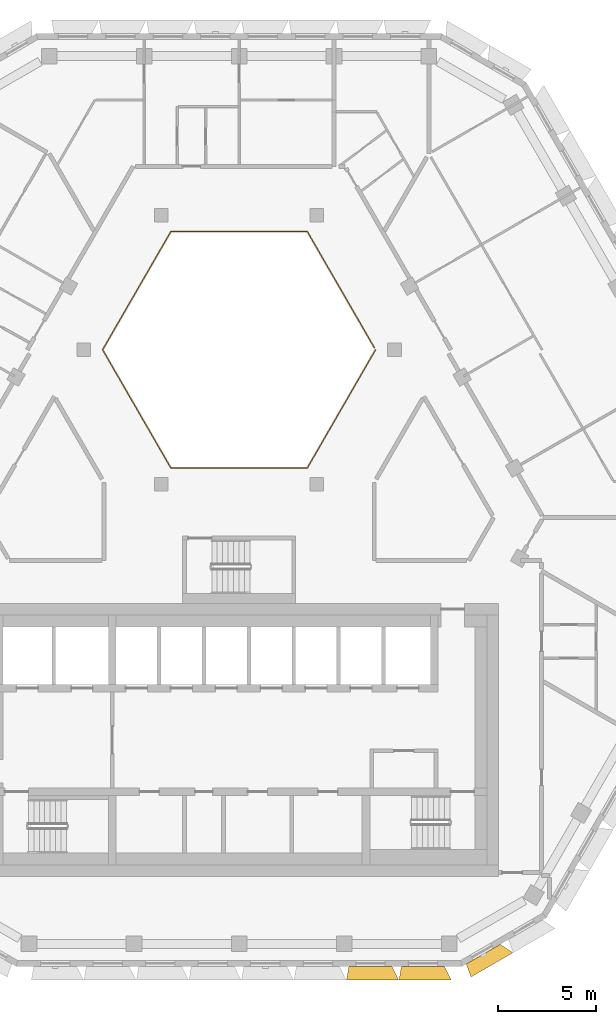
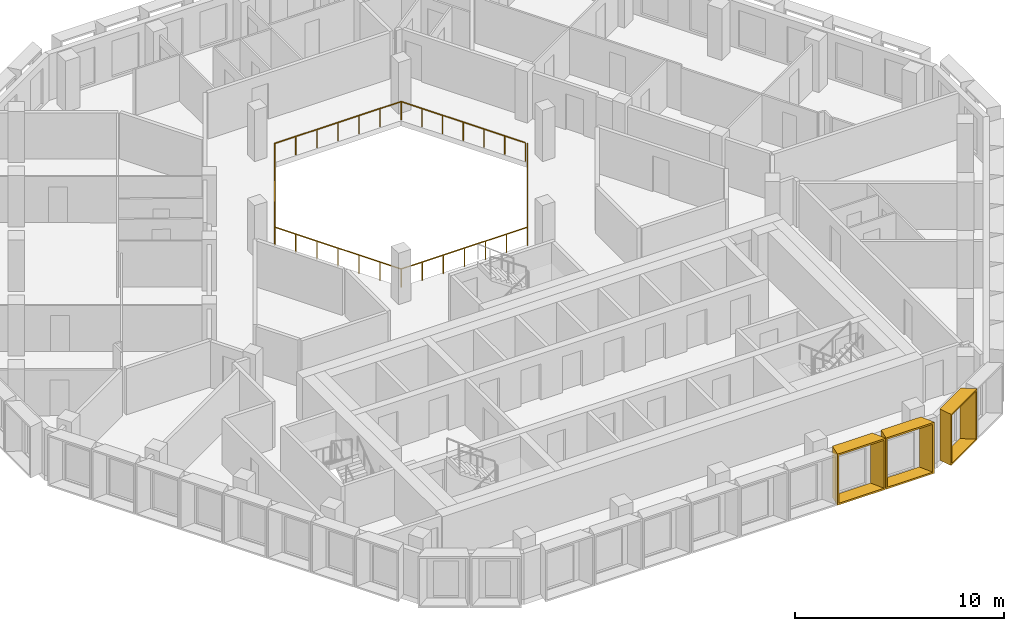
# One storey, part 15 of 17: 3 shading devices, 1 railing.
"""IFC4 building model written with IfcOpenShell, lengths in metres."""

from ifc_helpers import new_model, entity, si_unit, direction, frame, origin, origin_2d, place, context, subcontext, project, spatial, rectangle, extrude, source, transform, mapped, material, type_object, type_shapes, element, save


model = new_model("IFC4")

# Units and contexts
model_context = context("Model", 3, precision=1e-05, world=origin(), true_north=direction((0.0, 1.0)))
body_context = subcontext(model_context, "Body", "Model", "MODEL_VIEW")
ifc_project = project(units=[si_unit("LENGTHUNIT", "METRE"), si_unit("AREAUNIT", "SQUARE_METRE"), si_unit("VOLUMEUNIT", "CUBIC_METRE"), si_unit("PLANEANGLEUNIT", "RADIAN"), si_unit("MASSUNIT", "GRAM", prefix="KILO")], contexts=[model_context])

# Site, building, storey
site_placement = place(None, origin())
site = spatial("IfcSite", under=ifc_project, at=site_placement, CompositionType="ELEMENT")
building_placement = place(site_placement, origin())
building = spatial("IfcBuilding", under=site, at=building_placement, Name="Beryl Residences", CompositionType="ELEMENT")
storey_placement = place(building_placement, frame((0.0, 0.0, 166.199951171875)))
storey = spatial("IfcBuildingStorey", under=building, at=storey_placement, Name="L50", CompositionType="ELEMENT", Elevation=166.199951171875)

# Railing
ifc_material_1 = material(Name="Stainless steel balustrade with glass infill", Category="steel")
railing_type = type_object("IfcRailingType", Name="EG1 edge guard 1100 mm", PredefinedType="GUARDRAIL", material=ifc_material_1)
railing_placement = place(storey_placement, frame((6.9970703125, 8.0, 0.0)))
element("IfcRailing", 1, at=railing_placement, inside=storey, type_object=railing_type, Name="L50 atrium guard", PredefinedType="GUARDRAIL", context=body_context, shape_type="SweptSolid", body=[
    extrude(rectangle(XDim=0.048095703125, YDim=0.048095703125, at=origin_2d()), frame((0.0, 0.0, 1.076171875), z_axis=(-0.499921796684, -0.866070549782, 0.0), x_axis=(0.866070549782, -0.499921796684, 0.0)), (0.0, 0.0, 1.0), 6.9970703125),
    extrude(rectangle(XDim=0.048095703125, YDim=0.048095703125, at=origin_2d()), frame((-3.498046875, -6.06005859375, 1.076171875), z_axis=(-1.0, 0.0, 0.0), x_axis=(0.0, -1.0, 0.0)), (0.0, 0.0, 1.0), 6.998046875),
    extrude(rectangle(XDim=0.048095703125, YDim=0.048095703125, at=origin_2d()), frame((-10.49609375, -6.06005859375, 1.076171875), z_axis=(-0.499921796684, 0.866070549782, 0.0), x_axis=(-0.866070549782, -0.499921796684, 0.0)), (0.0, 0.0, 1.0), 6.9970703125),
    extrude(rectangle(XDim=0.048095703125, YDim=0.048095703125, at=origin_2d()), frame((-13.994140625, 0.0, 1.076171875), z_axis=(0.499921796684, 0.866070549782, 0.0), x_axis=(-0.866070549782, 0.499921796684, 0.0)), (0.0, 0.0, 1.0), 6.9970703125),
    extrude(rectangle(XDim=0.048095703125, YDim=0.048095703125, at=origin_2d()), frame((-10.49609375, 6.06005859375, 1.076171875), z_axis=(1.0, 0.0, 0.0), x_axis=(0.0, 1.0, 0.0)), (0.0, 0.0, 1.0), 6.998046875),
    extrude(rectangle(XDim=0.048095703125, YDim=0.048095703125, at=origin_2d()), frame((-3.498046875, 6.06005859375, 1.076171875), z_axis=(0.499919131929, -0.866072087953, 0.0), x_axis=(0.866072087953, 0.499919131929, 0.0)), (0.0, 0.0, 1.0), 6.877197265625),
    extrude(rectangle(XDim=0.0419921875, YDim=0.0419921875, at=origin_2d()), origin(), (0.0, 0.0, 1.0), 1.052001953125),
    extrude(rectangle(XDim=0.0419921875, YDim=0.0419921875, at=origin_2d()), frame((-0.5830078125, -1.010009765625, 0.0)), (0.0, 0.0, 1.0), 1.052001953125),
    extrude(rectangle(XDim=0.0419921875, YDim=0.0419921875, at=origin_2d()), frame((-1.166015625, -2.02001953125, 0.0)), (0.0, 0.0, 1.0), 1.052001953125),
    extrude(rectangle(XDim=0.0419921875, YDim=0.0419921875, at=origin_2d()), frame((-1.7490234375, -3.030029296875, 0.0)), (0.0, 0.0, 1.0), 1.052001953125),
    extrude(rectangle(XDim=0.0419921875, YDim=0.0419921875, at=origin_2d()), frame((-2.33203125, -4.0400390625, 0.0)), (0.0, 0.0, 1.0), 1.052001953125),
    extrude(rectangle(XDim=0.0419921875, YDim=0.0419921875, at=origin_2d()), frame((-2.9150390625, -5.050048828125, 0.0)), (0.0, 0.0, 1.0), 1.052001953125),
    extrude(rectangle(XDim=0.0419921875, YDim=0.0419921875, at=origin_2d()), frame((-3.498046875, -6.06005859375, 0.0)), (0.0, 0.0, 1.0), 1.052001953125),
    extrude(rectangle(XDim=0.0419921875, YDim=0.0419921875, at=origin_2d()), frame((-4.664306640625, -6.06005859375, 0.0)), (0.0, 0.0, 1.0), 1.052001953125),
    extrude(rectangle(XDim=0.0419921875, YDim=0.0419921875, at=origin_2d()), frame((-5.830810546875, -6.06005859375, 0.0)), (0.0, 0.0, 1.0), 1.052001953125),
    extrude(rectangle(XDim=0.0419921875, YDim=0.0419921875, at=origin_2d()), frame((-6.9970703125, -6.06005859375, 0.0)), (0.0, 0.0, 1.0), 1.052001953125),
    extrude(rectangle(XDim=0.0419921875, YDim=0.0419921875, at=origin_2d()), frame((-8.163330078125, -6.06005859375, 0.0)), (0.0, 0.0, 1.0), 1.052001953125),
    extrude(rectangle(XDim=0.0419921875, YDim=0.0419921875, at=origin_2d()), frame((-9.329833984375, -6.06005859375, 0.0)), (0.0, 0.0, 1.0), 1.052001953125),
    extrude(rectangle(XDim=0.0419921875, YDim=0.0419921875, at=origin_2d()), frame((-10.49609375, -6.06005859375, 0.0)), (0.0, 0.0, 1.0), 1.052001953125),
    extrude(rectangle(XDim=0.0419921875, YDim=0.0419921875, at=origin_2d()), frame((-11.0791015625, -5.050048828125, 0.0)), (0.0, 0.0, 1.0), 1.052001953125),
    extrude(rectangle(XDim=0.0419921875, YDim=0.0419921875, at=origin_2d()), frame((-11.662109375, -4.0400390625, 0.0)), (0.0, 0.0, 1.0), 1.052001953125),
    extrude(rectangle(XDim=0.0419921875, YDim=0.0419921875, at=origin_2d()), frame((-12.2451171875, -3.030029296875, 0.0)), (0.0, 0.0, 1.0), 1.052001953125),
    extrude(rectangle(XDim=0.0419921875, YDim=0.0419921875, at=origin_2d()), frame((-12.828125, -2.02001953125, 0.0)), (0.0, 0.0, 1.0), 1.052001953125),
    extrude(rectangle(XDim=0.0419921875, YDim=0.0419921875, at=origin_2d()), frame((-13.4111328125, -1.010009765625, 0.0)), (0.0, 0.0, 1.0), 1.052001953125),
    extrude(rectangle(XDim=0.0419921875, YDim=0.0419921875, at=origin_2d()), frame((-13.994140625, 0.0, 0.0)), (0.0, 0.0, 1.0), 1.052001953125),
    extrude(rectangle(XDim=0.0419921875, YDim=0.0419921875, at=origin_2d()), frame((-13.4111328125, 1.010009765625, 0.0)), (0.0, 0.0, 1.0), 1.052001953125),
    extrude(rectangle(XDim=0.0419921875, YDim=0.0419921875, at=origin_2d()), frame((-12.828125, 2.02001953125, 0.0)), (0.0, 0.0, 1.0), 1.052001953125),
    extrude(rectangle(XDim=0.0419921875, YDim=0.0419921875, at=origin_2d()), frame((-12.2451171875, 3.030029296875, 0.0)), (0.0, 0.0, 1.0), 1.052001953125),
    extrude(rectangle(XDim=0.0419921875, YDim=0.0419921875, at=origin_2d()), frame((-11.662109375, 4.0400390625, 0.0)), (0.0, 0.0, 1.0), 1.052001953125),
    extrude(rectangle(XDim=0.0419921875, YDim=0.0419921875, at=origin_2d()), frame((-11.0791015625, 5.050048828125, 0.0)), (0.0, 0.0, 1.0), 1.052001953125),
    extrude(rectangle(XDim=0.0419921875, YDim=0.0419921875, at=origin_2d()), frame((-10.49609375, 6.06005859375, 0.0)), (0.0, 0.0, 1.0), 1.052001953125),
    extrude(rectangle(XDim=0.0419921875, YDim=0.0419921875, at=origin_2d()), frame((-9.329833984375, 6.06005859375, 0.0)), (0.0, 0.0, 1.0), 1.052001953125),
    extrude(rectangle(XDim=0.0419921875, YDim=0.0419921875, at=origin_2d()), frame((-8.163330078125, 6.06005859375, 0.0)), (0.0, 0.0, 1.0), 1.052001953125),
    extrude(rectangle(XDim=0.0419921875, YDim=0.0419921875, at=origin_2d()), frame((-6.9970703125, 6.06005859375, 0.0)), (0.0, 0.0, 1.0), 1.052001953125),
    extrude(rectangle(XDim=0.0419921875, YDim=0.0419921875, at=origin_2d()), frame((-5.830810546875, 6.06005859375, 0.0)), (0.0, 0.0, 1.0), 1.052001953125),
    extrude(rectangle(XDim=0.0419921875, YDim=0.0419921875, at=origin_2d()), frame((-4.664306640625, 6.06005859375, 0.0)), (0.0, 0.0, 1.0), 1.052001953125),
    extrude(rectangle(XDim=0.0419921875, YDim=0.0419921875, at=origin_2d()), frame((-3.498046875, 6.06005859375, 0.0)), (0.0, 0.0, 1.0), 1.052001953125),
    extrude(rectangle(XDim=0.0419921875, YDim=0.0419921875, at=origin_2d()), frame((-2.925048828125, 5.0673828125, 0.0)), (0.0, 0.0, 1.0), 1.052001953125),
    extrude(rectangle(XDim=0.0419921875, YDim=0.0419921875, at=origin_2d()), frame((-2.35205078125, 4.07470703125, 0.0)), (0.0, 0.0, 1.0), 1.052001953125),
    extrude(rectangle(XDim=0.0419921875, YDim=0.0419921875, at=origin_2d()), frame((-1.779052734375, 3.08203125, 0.0)), (0.0, 0.0, 1.0), 1.052001953125),
    extrude(rectangle(XDim=0.0419921875, YDim=0.0419921875, at=origin_2d()), frame((-1.2060546875, 2.08935546875, 0.0)), (0.0, 0.0, 1.0), 1.052001953125),
    extrude(rectangle(XDim=0.0419921875, YDim=0.0419921875, at=origin_2d()), frame((-0.633056640625, 1.0966796875, 0.0)), (0.0, 0.0, 1.0), 1.052001953125),
    extrude(rectangle(XDim=0.0419921875, YDim=0.0419921875, at=origin_2d()), frame((-0.06005859375, 0.10400390625, 0.0)), (0.0, 0.0, 1.0), 1.052001953125),
])

# Shading devices
ifc_material_2 = material(Name="Aluminium pale anodised", Category="aluminium")
shading_device_type_1 = type_object("IfcShadingDeviceType", Name="FR250-70C OUTER SKIN frame 700 mm deep, splay 10/26 deg, 2500 x 3000 mm cell", PredefinedType="USERDEFINED", material=ifc_material_2)
cartesian_point_1 = entity("IfcCartesianPoint", [-1.007568359375, 0.0])
cartesian_point_2 = entity("IfcCartesianPoint", [-0.92626953125, 0.10009765625])
cartesian_point_3 = entity("IfcCartesianPoint", [-1.130859375, 0.0])
cartesian_point_4 = entity("IfcCartesianPoint", [-1.0498046875, 0.10009765625])
shared_shape_1 = source(origin(), body_context, "Body", "SweptSolid", [
    entity("IfcExtrudedAreaSolidTapered", entity("IfcArbitraryProfileDefWithVoids", "AREA", None, entity("IfcPolyline", [cartesian_point_1, entity("IfcCartesianPoint", [1.007568359375, 0.0]), entity("IfcCartesianPoint", [1.007568359375, 3.0]), entity("IfcCartesianPoint", [-1.007568359375, 3.0]), cartesian_point_1]), [entity("IfcPolyline", [cartesian_point_2, entity("IfcCartesianPoint", [0.91845703125, 0.10009765625]), entity("IfcCartesianPoint", [0.91845703125, 2.89990234375]), entity("IfcCartesianPoint", [-0.92626953125, 2.89990234375]), cartesian_point_2])]), entity("IfcAxis2Placement3D", entity("IfcCartesianPoint", [0.0, 0.0, 0.0]), entity("IfcDirection", [0.0, 1.0, 0.0]), entity("IfcDirection", [-1.0, 0.0, 0.0])), entity("IfcDirection", [0.0, 0.0, 1.0]), 0.699951171875, entity("IfcArbitraryProfileDefWithVoids", "AREA", None, entity("IfcPolyline", [cartesian_point_3, entity("IfcCartesianPoint", [1.348876953125, 0.0]), entity("IfcCartesianPoint", [1.348876953125, 3.0]), entity("IfcCartesianPoint", [-1.130859375, 3.0]), cartesian_point_3]), [entity("IfcPolyline", [cartesian_point_4, entity("IfcCartesianPoint", [1.260009765625, 0.10009765625]), entity("IfcCartesianPoint", [1.260009765625, 2.89990234375]), entity("IfcCartesianPoint", [-1.0498046875, 2.89990234375]), cartesian_point_4])])),
])
type_shapes(shading_device_type_1, [shared_shape_1])
shading_device_placement = place(storey_placement, frame((12.513916015625, -22.97509765625, 0.0), z_axis=(0.0, 0.0, 1.0), x_axis=(-0.866025403784, -0.5, 0.0)))
element("IfcShadingDevice", 2, at=shading_device_placement, inside=storey, type_object=shading_device_type_1, Name="FR250-70C frame L50 S-SE 1", ObjectType="OUTER SKIN", PredefinedType="USERDEFINED", context=body_context, shape_type="MappedRepresentation", body=[
    mapped(shared_shape_1, transform((0.0, 0.0, 0.0))),
])
ifc_material_3 = material(Name="Aluminium pale anodised", Category="aluminium")
shading_device_type_2 = type_object("IfcShadingDeviceType", Name="FR269-70C OUTER SKIN frame 700 mm deep, splay 10/26 deg, 2690 x 3000 mm cell", PredefinedType="USERDEFINED", material=ifc_material_3)
cartesian_point_5 = entity("IfcCartesianPoint", [-1.1025390625, 0.0])
cartesian_point_6 = entity("IfcCartesianPoint", [-1.021240234375, 0.10009765625])
cartesian_point_7 = entity("IfcCartesianPoint", [-1.225830078125, 0.0])
cartesian_point_8 = entity("IfcCartesianPoint", [-1.144775390625, 0.10009765625])
shared_shape_2 = source(origin(), body_context, "Body", "SweptSolid", [
    entity("IfcExtrudedAreaSolidTapered", entity("IfcArbitraryProfileDefWithVoids", "AREA", None, entity("IfcPolyline", [cartesian_point_5, entity("IfcCartesianPoint", [1.1025390625, 0.0]), entity("IfcCartesianPoint", [1.1025390625, 3.0]), entity("IfcCartesianPoint", [-1.1025390625, 3.0]), cartesian_point_5]), [entity("IfcPolyline", [cartesian_point_6, entity("IfcCartesianPoint", [1.013427734375, 0.10009765625]), entity("IfcCartesianPoint", [1.013427734375, 2.89990234375]), entity("IfcCartesianPoint", [-1.021240234375, 2.89990234375]), cartesian_point_6])]), entity("IfcAxis2Placement3D", entity("IfcCartesianPoint", [0.0, 0.0, 0.0]), entity("IfcDirection", [0.0, 1.0, 0.0]), entity("IfcDirection", [-1.0, 0.0, 0.0])), entity("IfcDirection", [0.0, 0.0, 1.0]), 0.699951171875, entity("IfcArbitraryProfileDefWithVoids", "AREA", None, entity("IfcPolyline", [cartesian_point_7, entity("IfcCartesianPoint", [1.44384765625, 0.0]), entity("IfcCartesianPoint", [1.44384765625, 3.0]), entity("IfcCartesianPoint", [-1.225830078125, 3.0]), cartesian_point_7]), [entity("IfcPolyline", [cartesian_point_8, entity("IfcCartesianPoint", [1.35498046875, 0.10009765625]), entity("IfcCartesianPoint", [1.35498046875, 2.89990234375]), entity("IfcCartesianPoint", [-1.144775390625, 2.89990234375]), cartesian_point_8])])),
])
type_shapes(shading_device_type_2, [shared_shape_2])
for number, where, z_axis, x_axis, name in (
    (3, (6.73095703125, -23.60009765625, 0.0), (0.0, 0.0, 1.0), (-1.0, 0.0, 0.0), "FR269-70C frame L50 S 7"),
    (4, (9.423095703125, -23.60009765625, 0.0), (0.0, 0.0, 1.0), (-1.0, 0.0, 0.0), "FR269-70C frame L50 S 8"),
):
    element("IfcShadingDevice", number, at=place(storey_placement, frame(where, z_axis=z_axis, x_axis=x_axis)), inside=storey, type_object=shading_device_type_2, Name=name, ObjectType="OUTER SKIN", PredefinedType="USERDEFINED", context=body_context, shape_type="MappedRepresentation", body=[
        mapped(shared_shape_2, transform((0.0, 0.0, 0.0))),
    ])

save(model, "model.ifc")
